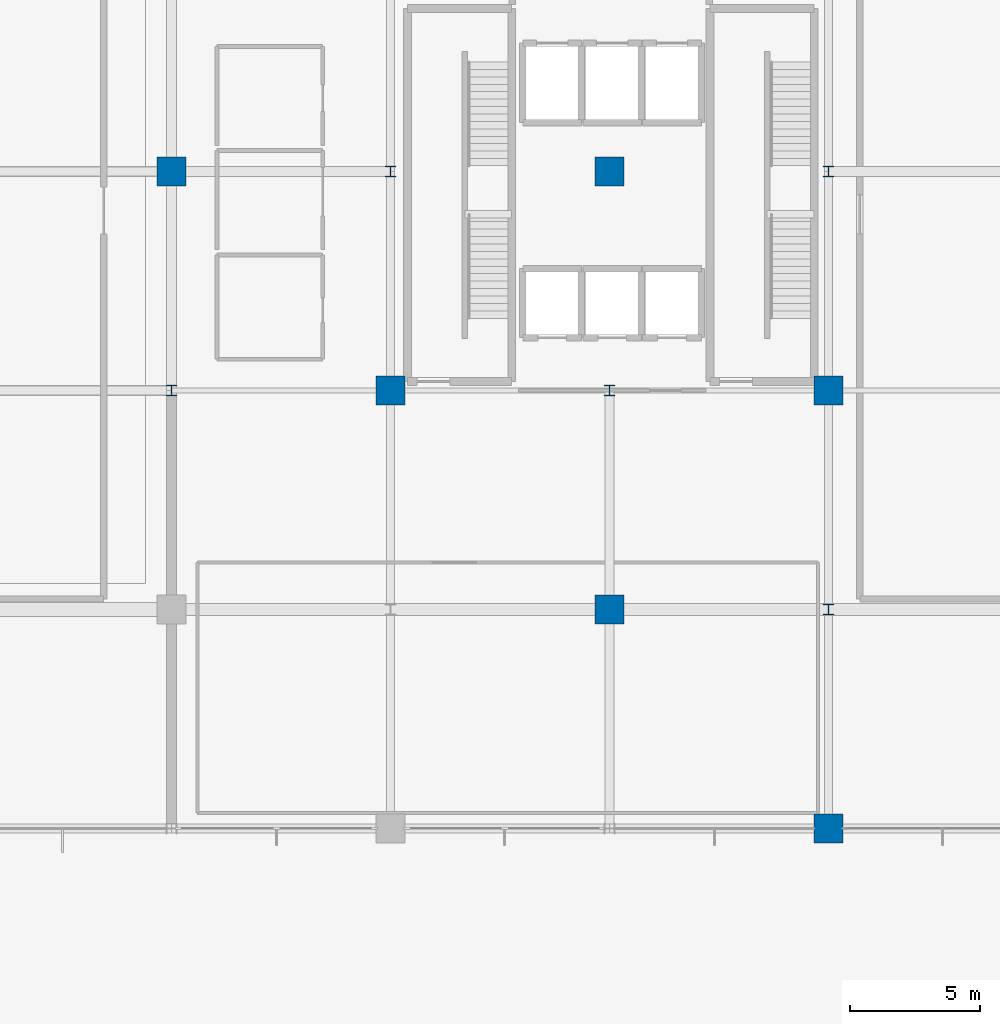
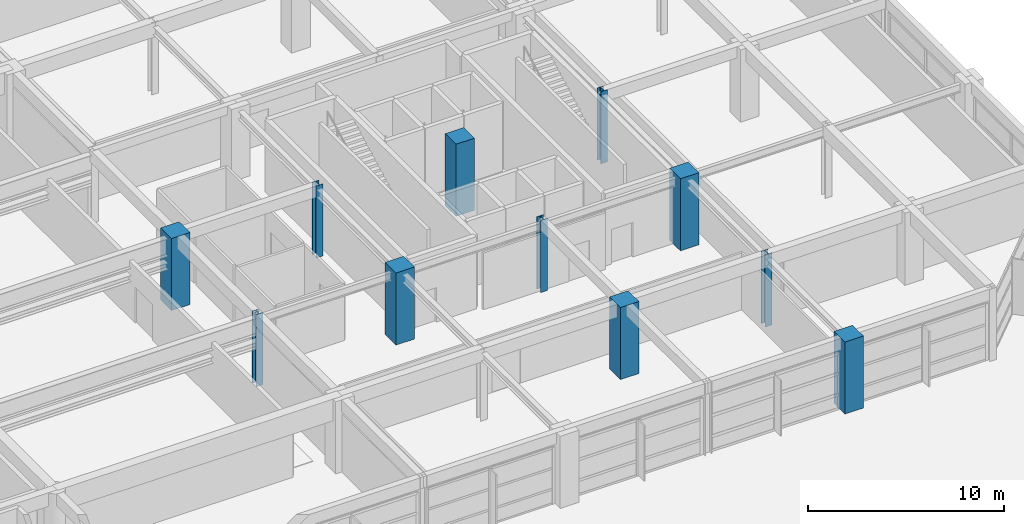
# One storey, part 3 of 47: 11 columns.
"""IFC4 building model written with IfcOpenShell, lengths in metres."""

from ifc_helpers import new_model, si_unit, direction, frame, origin, origin_2d, place, context, subcontext, project, spatial, rectangle, i_section, extrude, material, material_profile, profile_set, type_object, element, save


model = new_model("IFC4")

# Units and contexts
model_context = context("Model", 3, precision=1e-05, world=origin(), true_north=direction((0.0, 1.0)))
body_context = subcontext(model_context, "Body", "Model", "MODEL_VIEW")
ifc_project = project(units=[si_unit("LENGTHUNIT", "METRE"), si_unit("AREAUNIT", "SQUARE_METRE"), si_unit("VOLUMEUNIT", "CUBIC_METRE"), si_unit("PLANEANGLEUNIT", "RADIAN"), si_unit("MASSUNIT", "GRAM", prefix="KILO")], contexts=[model_context])

# Site, building, storey
site_placement = place(None, origin())
site = spatial("IfcSite", under=ifc_project, at=site_placement, CompositionType="ELEMENT")
building_placement = place(site_placement, origin())
building = spatial("IfcBuilding", under=site, at=building_placement, Name="Xuanlan Plaza Opera House", CompositionType="ELEMENT")
storey_placement = place(building_placement, frame((0.0, 0.0, 23.39990234375)))
storey = spatial("IfcBuildingStorey", under=building, at=storey_placement, Name="L05", CompositionType="ELEMENT", Elevation=23.39990234375)

# Columns
ifc_material_1 = material(Name="Concrete C50", Category="concrete")
ifc_material_profile_1 = material_profile(ifc_material_1, rectangle(XDim=1.10009765625, YDim=1.10009765625, at=origin_2d()), Name="RC-COL 1100x1100")
ifc_profile_set_1 = profile_set([ifc_material_profile_1], Name="Concrete C50")
column_type_1 = type_object("IfcColumnType", Name="STR-COL-C-03", PredefinedType="COLUMN", material=ifc_profile_set_1)
for number, where, z_axis, x_axis, name in (
    (1, (126.0, 58.800048828125, 0.0), (0.0, 0.0, 1.0), (1.0, 0.0, 0.0), "Column L05 16-H"),
    (2, (134.39990234375, 50.39990234375, 0.0), (0.0, 0.0, 1.0), (1.0, 0.0, 0.0), "Column L05 17-G"),
    (3, (142.800048828125, 42.0, 0.0), (0.0, 0.0, 1.0), (1.0, 0.0, 0.0), "Column L05 18-F"),
    (4, (142.800048828125, 58.800048828125, 0.0), (0.0, 0.0, 1.0), (1.0, 0.0, 0.0), "Column L05 18-H"),
    (5, (151.199951171875, 33.60009765625, 0.0), (0.0, 0.0, 1.0), (1.0, 0.0, 0.0), "Column L05 19-E"),
    (6, (151.199951171875, 50.39990234375, 0.0), (0.0, 0.0, 1.0), (1.0, 0.0, 0.0), "Column L05 19-G"),
):
    element("IfcColumn", number, at=place(storey_placement, frame(where, z_axis=z_axis, x_axis=x_axis)), inside=storey, type_object=column_type_1, Name=name, PredefinedType="COLUMN", context=body_context, shape_type="SweptSolid", body=[
        extrude(rectangle(XDim=1.10009765625, YDim=1.10009765625, at=origin_2d()), origin(), (0.0, 0.0, 1.0), 4.5),
    ])
ifc_material_2 = material(Name="Steel Q355B", Category="steel")
ifc_material_profile_2 = material_profile(ifc_material_2, i_section(OverallWidth=0.39990234375, OverallDepth=0.39990234375, WebThickness=0.012939453125, FlangeThickness=0.02099609375, FilletRadius=0.02197265625, at=origin_2d()), Name="HW 400x400x13x21")
ifc_profile_set_2 = profile_set([ifc_material_profile_2], Name="Steel Q355B")
column_type_2 = type_object("IfcColumnType", Name="STR-COL-C-14", PredefinedType="COLUMN", material=ifc_profile_set_2)
for number, where, z_axis, x_axis, name in (
    (7, (126.0, 50.39990234375, 0.0), (0.0, 0.0, 1.0), (1.0, 0.0, 0.0), "Column L05 16-G"),
    (8, (134.39990234375, 58.800048828125, 0.0), (0.0, 0.0, 1.0), (1.0, 0.0, 0.0), "Column L05 17-H"),
    (9, (142.800048828125, 50.39990234375, 0.0), (0.0, 0.0, 1.0), (1.0, 0.0, 0.0), "Column L05 18-G"),
    (10, (151.199951171875, 42.0, 0.0), (0.0, 0.0, 1.0), (1.0, 0.0, 0.0), "Column L05 19-F"),
    (11, (151.199951171875, 58.800048828125, 0.0), (0.0, 0.0, 1.0), (1.0, 0.0, 0.0), "Column L05 19-H"),
):
    element("IfcColumn", number, at=place(storey_placement, frame(where, z_axis=z_axis, x_axis=x_axis)), inside=storey, type_object=column_type_2, Name=name, PredefinedType="COLUMN", context=body_context, shape_type="SweptSolid", body=[
        extrude(i_section(OverallWidth=0.39990234375, OverallDepth=0.39990234375, WebThickness=0.012939453125, FlangeThickness=0.02099609375, FilletRadius=0.02197265625, at=origin_2d()), origin(), (0.0, 0.0, 1.0), 4.5),
    ])

save(model, "model.ifc")
